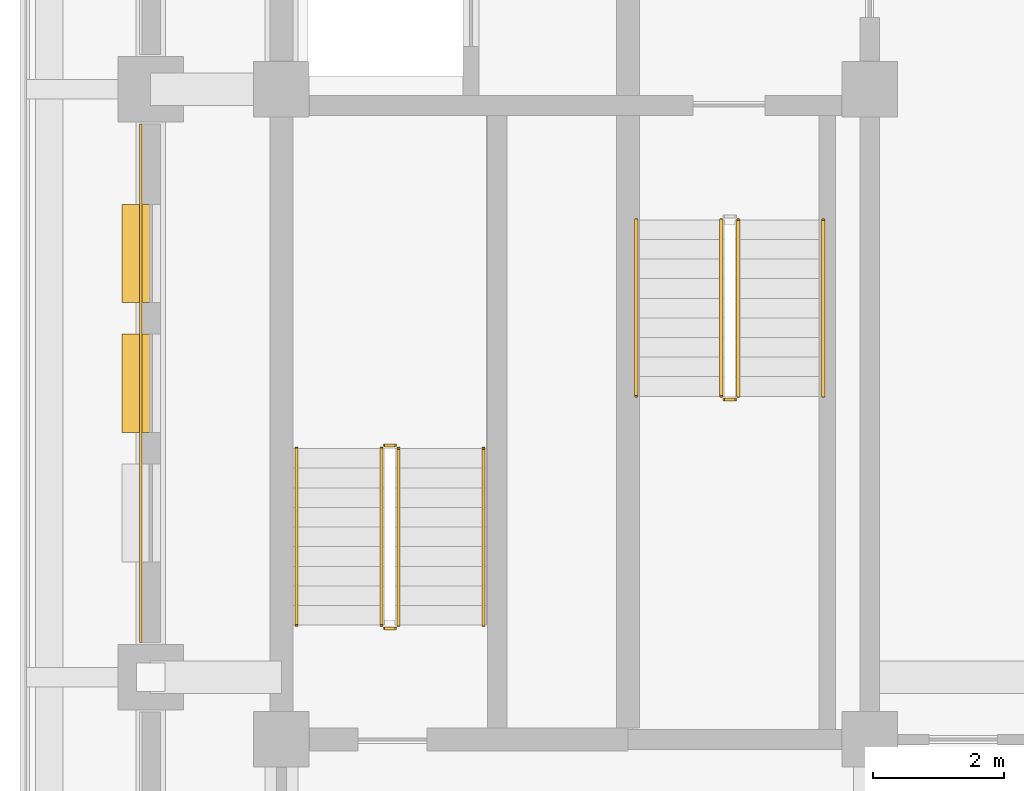
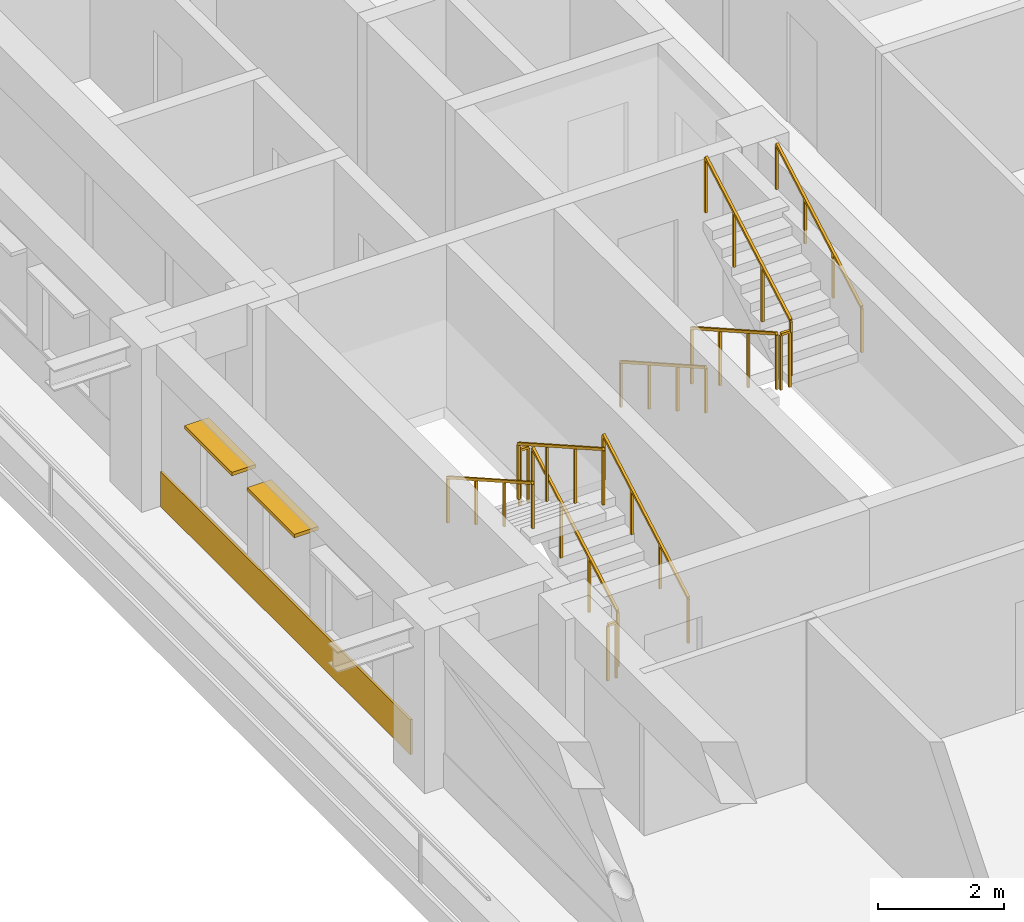
# One storey, part 9 of 14: 11 railings, 2 shading devices, 1 covering.
"""IFC4 building model written with IfcOpenShell, lengths in metres."""

from ifc_helpers import new_model, si_unit, direction, frame, frame_2d, origin, origin_2d, place, context, subcontext, project, spatial, rectangle, extrude, material, layer, layer_set, type_object, element, save


model = new_model("IFC4")

# Units and contexts
model_context = context("Model", 3, precision=1e-05, world=origin(), true_north=direction((0.0, 1.0)))
body_context = subcontext(model_context, "Body", "Model", "MODEL_VIEW")
ifc_project = project(units=[si_unit("LENGTHUNIT", "METRE"), si_unit("AREAUNIT", "SQUARE_METRE"), si_unit("VOLUMEUNIT", "CUBIC_METRE"), si_unit("PLANEANGLEUNIT", "RADIAN"), si_unit("MASSUNIT", "GRAM", prefix="KILO")], contexts=[model_context])

# Site, building, storey
site_placement = place(None, origin())
site = spatial("IfcSite", under=ifc_project, at=site_placement, CompositionType="ELEMENT")
building_placement = place(site_placement, origin())
building = spatial("IfcBuilding", under=site, at=building_placement, Name="Zulmaris Gate Convention Tower", CompositionType="ELEMENT")
storey_placement = place(building_placement, frame((0.0, 0.0, 179.659912109375)))
storey = spatial("IfcBuildingStorey", under=building, at=storey_placement, Name="L46", CompositionType="ELEMENT", Elevation=179.659912109375)

# Covering
ifc_material_1 = material(Name="Precast concrete C40/50", Category="concrete")
ifc_layer_1 = layer(ifc_material_1, 0.0400390625, Name="Precast concrete C40/50")
ifc_layer_set_1 = layer_set([ifc_layer_1], Name="Precast concrete C40/50")
covering_type = type_object("IfcCoveringType", Name="CLAD-SPANDREL-PRECAST", PredefinedType="CLADDING", material=ifc_layer_set_1)
covering_placement = place(storey_placement, frame((-22.14990234375, -0.530029296875, 0.0), z_axis=(0.0, 0.0, 1.0), x_axis=(0.0, -1.0, 0.0)))
element("IfcCovering", 1, at=covering_placement, inside=storey, type_object=covering_type, Name="CLD-L46-W-1_0", PredefinedType="CLADDING", context=body_context, shape_type="SweptSolid", body=[
    extrude(rectangle(XDim=7.93994140625, YDim=0.0400390625, at=frame_2d((3.969970703125, 0.0))), origin(), (0.0, 0.0, 1.0), 0.679931640625),
])

# Railings
ifc_material_2 = material(Name="Painted Galvanised Steel", Category="steel")
railing_type_1 = type_object("IfcRailingType", Name="RL-STG-1150", PredefinedType="GUARDRAIL", material=ifc_material_2)
railing_1_placement = place(storey_placement, frame((-13.27001953125, -2.0, 0.169921875)))
element("IfcRailing", 2, at=railing_1_placement, inside=storey, type_object=railing_type_1, Name="L46 ST-1 stair guard 1", PredefinedType="GUARDRAIL", context=body_context, shape_type="SweptSolid", body=[
    extrude(rectangle(XDim=0.048095703125, YDim=0.048095703125, at=origin_2d()), frame((0.0, 0.0, 1.076171875), z_axis=(0.0, -0.870014312096, 0.49302646658), x_axis=(1.0, 0.0, 0.0)), (0.0, 0.0, 1.0), 3.103271484375),
    extrude(rectangle(XDim=0.0419921875, YDim=0.0419921875, at=origin_2d()), origin(), (0.0, 0.0, 1.0), 1.052001953125),
    extrude(rectangle(XDim=0.0419921875, YDim=0.0419921875, at=origin_2d()), frame((0.0, -0.89990234375, 0.510009765625)), (0.0, 0.0, 1.0), 1.052001953125),
    extrude(rectangle(XDim=0.0419921875, YDim=0.0419921875, at=origin_2d()), frame((0.0, -1.800048828125, 1.02001953125)), (0.0, 0.0, 1.0), 1.052001953125),
    extrude(rectangle(XDim=0.0419921875, YDim=0.0419921875, at=origin_2d()), frame((0.0, -2.699951171875, 1.530029296875)), (0.0, 0.0, 1.0), 1.052001953125),
])
railing_2_placement = place(storey_placement, frame((-13.219970703125, -4.75, 1.699951171875)))
element("IfcRailing", 3, at=railing_2_placement, inside=storey, type_object=railing_type_1, Name="L46 ST-1 stair guard 2", PredefinedType="GUARDRAIL", context=body_context, shape_type="SweptSolid", body=[
    extrude(rectangle(XDim=0.048095703125, YDim=0.048095703125, at=origin_2d()), frame((0.0, 0.0, 1.076171875), z_axis=(1.0, 0.0, 0.0), x_axis=(0.0, 1.0, 0.0)), (0.0, 0.0, 1.0), 0.159912109375),
    extrude(rectangle(XDim=0.0419921875, YDim=0.0419921875, at=origin_2d()), origin(), (0.0, 0.0, 1.0), 1.052001953125),
    extrude(rectangle(XDim=0.0419921875, YDim=0.0419921875, at=origin_2d()), frame((0.159912109375, 0.0, 0.0)), (0.0, 0.0, 1.0), 1.052001953125),
])
for number, where, name in (
    (4, (-13.010009765625, -4.699951171875, 1.869873046875), "L46 ST-1 stair guard 3"),
    (5, (-18.2099609375, -8.199951171875, 0.169921875), "L46 ST-3 stair guard 1"),
):
    element("IfcRailing", number, at=place(storey_placement, frame(where)), inside=storey, type_object=railing_type_1, Name=name, PredefinedType="GUARDRAIL", context=body_context, shape_type="SweptSolid", body=[
        extrude(rectangle(XDim=0.048095703125, YDim=0.048095703125, at=origin_2d()), frame((0.0, 0.0, 1.076171875), z_axis=(0.0, 0.870014312096, 0.49302646658), x_axis=(-1.0, 0.0, 0.0)), (0.0, 0.0, 1.0), 3.103271484375),
        extrude(rectangle(XDim=0.0419921875, YDim=0.0419921875, at=origin_2d()), origin(), (0.0, 0.0, 1.0), 1.052001953125),
        extrude(rectangle(XDim=0.0419921875, YDim=0.0419921875, at=origin_2d()), frame((0.0, 0.89990234375, 0.510009765625)), (0.0, 0.0, 1.0), 1.052001953125),
        extrude(rectangle(XDim=0.0419921875, YDim=0.0419921875, at=origin_2d()), frame((0.0, 1.800048828125, 1.02001953125)), (0.0, 0.0, 1.0), 1.052001953125),
        extrude(rectangle(XDim=0.0419921875, YDim=0.0419921875, at=origin_2d()), frame((0.0, 2.699951171875, 1.530029296875)), (0.0, 0.0, 1.0), 1.052001953125),
    ])
railing_3_placement = place(storey_placement, frame((-18.260009765625, -5.449951171875, 1.699951171875)))
element("IfcRailing", 6, at=railing_3_placement, inside=storey, type_object=railing_type_1, Name="L46 ST-3 stair guard 2", PredefinedType="GUARDRAIL", context=body_context, shape_type="SweptSolid", body=[
    extrude(rectangle(XDim=0.048095703125, YDim=0.048095703125, at=origin_2d()), frame((0.0, 0.0, 1.076171875), z_axis=(-1.0, 0.0, 0.0), x_axis=(0.0, -1.0, 0.0)), (0.0, 0.0, 1.0), 0.159912109375),
    extrude(rectangle(XDim=0.0419921875, YDim=0.0419921875, at=origin_2d()), origin(), (0.0, 0.0, 1.0), 1.052001953125),
    extrude(rectangle(XDim=0.0419921875, YDim=0.0419921875, at=origin_2d()), frame((-0.159912109375, 0.0, 0.0)), (0.0, 0.0, 1.0), 1.052001953125),
])
railing_4_placement = place(storey_placement, frame((-18.469970703125, -5.5, 1.869873046875)))
element("IfcRailing", 7, at=railing_4_placement, inside=storey, type_object=railing_type_1, Name="L46 ST-3 stair guard 3", PredefinedType="GUARDRAIL", context=body_context, shape_type="SweptSolid", body=[
    extrude(rectangle(XDim=0.048095703125, YDim=0.048095703125, at=origin_2d()), frame((0.0, 0.0, 1.076171875), z_axis=(0.0, -0.870014312096, 0.49302646658), x_axis=(1.0, 0.0, 0.0)), (0.0, 0.0, 1.0), 3.103271484375),
    extrude(rectangle(XDim=0.0419921875, YDim=0.0419921875, at=origin_2d()), origin(), (0.0, 0.0, 1.0), 1.052001953125),
    extrude(rectangle(XDim=0.0419921875, YDim=0.0419921875, at=origin_2d()), frame((0.0, -0.89990234375, 0.510009765625)), (0.0, 0.0, 1.0), 1.052001953125),
    extrude(rectangle(XDim=0.0419921875, YDim=0.0419921875, at=origin_2d()), frame((0.0, -1.800048828125, 1.02001953125)), (0.0, 0.0, 1.0), 1.052001953125),
    extrude(rectangle(XDim=0.0419921875, YDim=0.0419921875, at=origin_2d()), frame((0.0, -2.699951171875, 1.530029296875)), (0.0, 0.0, 1.0), 1.052001953125),
])
railing_5_placement = place(storey_placement, frame((-18.260009765625, -8.25, 0.0)))
element("IfcRailing", 8, at=railing_5_placement, inside=storey, type_object=railing_type_1, Name="L46 ST-3 stair guard 4", PredefinedType="GUARDRAIL", context=body_context, shape_type="SweptSolid", body=[
    extrude(rectangle(XDim=0.048095703125, YDim=0.048095703125, at=origin_2d()), frame((0.0, 0.0, 1.076171875), z_axis=(-1.0, 0.0, 0.0), x_axis=(0.0, -1.0, 0.0)), (0.0, 0.0, 1.0), 0.159912109375),
    extrude(rectangle(XDim=0.0419921875, YDim=0.0419921875, at=origin_2d()), origin(), (0.0, 0.0, 1.0), 1.052001953125),
    extrude(rectangle(XDim=0.0419921875, YDim=0.0419921875, at=origin_2d()), frame((-0.159912109375, 0.0, 0.0)), (0.0, 0.0, 1.0), 1.052001953125),
])
ifc_material_3 = material(Name="Brushed Stainless Steel", Category="steel")
railing_type_2 = type_object("IfcRailingType", Name="RL-STH-900", PredefinedType="HANDRAIL", material=ifc_material_3)
railing_6_placement = place(storey_placement, frame((-14.570068359375, -2.0, 0.169921875)))
element("IfcRailing", 9, at=railing_6_placement, inside=storey, type_object=railing_type_2, Name="L46 ST-1 stair handrail 1", PredefinedType="HANDRAIL", context=body_context, shape_type="SweptSolid", body=[
    extrude(rectangle(XDim=0.048095703125, YDim=0.048095703125, at=origin_2d()), frame((0.0, 0.0, 0.8759765625), z_axis=(0.0, -0.870014312096, 0.49302646658), x_axis=(1.0, 0.0, 0.0)), (0.0, 0.0, 1.0), 3.103271484375),
    extrude(rectangle(XDim=0.0419921875, YDim=0.0419921875, at=origin_2d()), origin(), (0.0, 0.0, 1.0), 0.851806640625),
    extrude(rectangle(XDim=0.0419921875, YDim=0.0419921875, at=origin_2d()), frame((0.0, -0.89990234375, 0.510009765625)), (0.0, 0.0, 1.0), 0.851806640625),
    extrude(rectangle(XDim=0.0419921875, YDim=0.0419921875, at=origin_2d()), frame((0.0, -1.800048828125, 1.02001953125)), (0.0, 0.0, 1.0), 0.851806640625),
    extrude(rectangle(XDim=0.0419921875, YDim=0.0419921875, at=origin_2d()), frame((0.0, -2.699951171875, 1.530029296875)), (0.0, 0.0, 1.0), 0.851806640625),
])
for number, where, name in (
    (10, (-11.7099609375, -4.699951171875, 1.869873046875), "L46 ST-1 stair handrail 2"),
    (11, (-16.909912109375, -8.199951171875, 0.169921875), "L46 ST-3 stair handrail 1"),
):
    element("IfcRailing", number, at=place(storey_placement, frame(where)), inside=storey, type_object=railing_type_2, Name=name, PredefinedType="HANDRAIL", context=body_context, shape_type="SweptSolid", body=[
        extrude(rectangle(XDim=0.048095703125, YDim=0.048095703125, at=origin_2d()), frame((0.0, 0.0, 0.8759765625), z_axis=(0.0, 0.870014312096, 0.49302646658), x_axis=(-1.0, 0.0, 0.0)), (0.0, 0.0, 1.0), 3.103271484375),
        extrude(rectangle(XDim=0.0419921875, YDim=0.0419921875, at=origin_2d()), origin(), (0.0, 0.0, 1.0), 0.851806640625),
        extrude(rectangle(XDim=0.0419921875, YDim=0.0419921875, at=origin_2d()), frame((0.0, 0.89990234375, 0.510009765625)), (0.0, 0.0, 1.0), 0.851806640625),
        extrude(rectangle(XDim=0.0419921875, YDim=0.0419921875, at=origin_2d()), frame((0.0, 1.800048828125, 1.02001953125)), (0.0, 0.0, 1.0), 0.851806640625),
        extrude(rectangle(XDim=0.0419921875, YDim=0.0419921875, at=origin_2d()), frame((0.0, 2.699951171875, 1.530029296875)), (0.0, 0.0, 1.0), 0.851806640625),
    ])
railing_7_placement = place(storey_placement, frame((-19.77001953125, -5.5, 1.869873046875)))
element("IfcRailing", 12, at=railing_7_placement, inside=storey, type_object=railing_type_2, Name="L46 ST-3 stair handrail 2", PredefinedType="HANDRAIL", context=body_context, shape_type="SweptSolid", body=[
    extrude(rectangle(XDim=0.048095703125, YDim=0.048095703125, at=origin_2d()), frame((0.0, 0.0, 0.8759765625), z_axis=(0.0, -0.870014312096, 0.49302646658), x_axis=(1.0, 0.0, 0.0)), (0.0, 0.0, 1.0), 3.103271484375),
    extrude(rectangle(XDim=0.0419921875, YDim=0.0419921875, at=origin_2d()), origin(), (0.0, 0.0, 1.0), 0.851806640625),
    extrude(rectangle(XDim=0.0419921875, YDim=0.0419921875, at=origin_2d()), frame((0.0, -0.89990234375, 0.510009765625)), (0.0, 0.0, 1.0), 0.851806640625),
    extrude(rectangle(XDim=0.0419921875, YDim=0.0419921875, at=origin_2d()), frame((0.0, -1.800048828125, 1.02001953125)), (0.0, 0.0, 1.0), 0.851806640625),
    extrude(rectangle(XDim=0.0419921875, YDim=0.0419921875, at=origin_2d()), frame((0.0, -2.699951171875, 1.530029296875)), (0.0, 0.0, 1.0), 0.851806640625),
])

# Shading devices
ifc_material_4 = material(Name="Glazed Ceramic Terracotta", Category="masonry")
ifc_layer_2 = layer(ifc_material_4, 0.070068359375, Name="Glazed Ceramic Terracotta")
ifc_layer_set_2 = layer_set([ifc_layer_2], Name="Glazed Ceramic Terracotta")
shading_device_type = type_object("IfcShadingDeviceType", Name="SHD-SUNSHADE-TC", PredefinedType="AWNING", material=ifc_layer_set_2)
for number, where, z_axis, x_axis, name in (
    (13, (-22.219970703125, -1.764892578125, 2.35009765625), (0.0, 0.0, 1.0), (0.0, -1.0, 0.0), "SHD-EW-L46-W-1_0-1"),
    (14, (-22.219970703125, -3.75, 2.35009765625), (0.0, 0.0, 1.0), (0.0, -1.0, 0.0), "SHD-EW-L46-W-1_0-2"),
):
    element("IfcShadingDevice", number, at=place(storey_placement, frame(where, z_axis=z_axis, x_axis=x_axis)), inside=storey, type_object=shading_device_type, Name=name, PredefinedType="AWNING", context=body_context, shape_type="SweptSolid", body=[
        extrude(rectangle(XDim=1.5, YDim=0.43994140625, at=frame_2d((0.75, 0.0))), origin(), (0.0, 0.0, 1.0), 0.06982421875),
    ])

save(model, "model.ifc")
